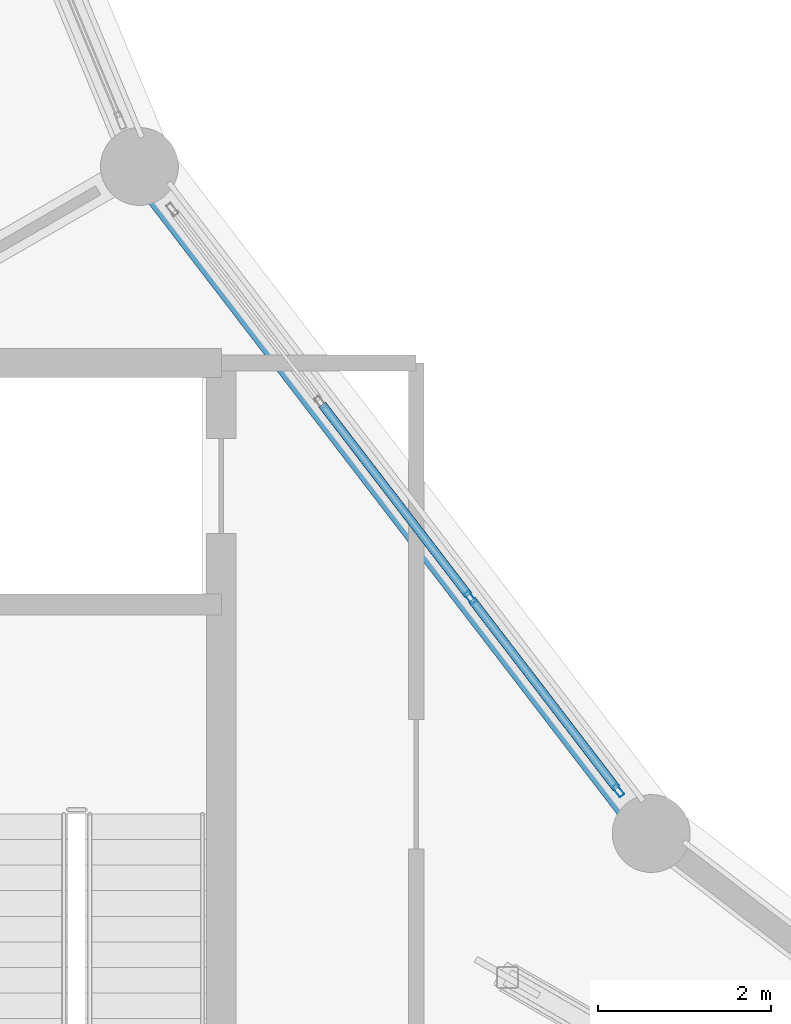
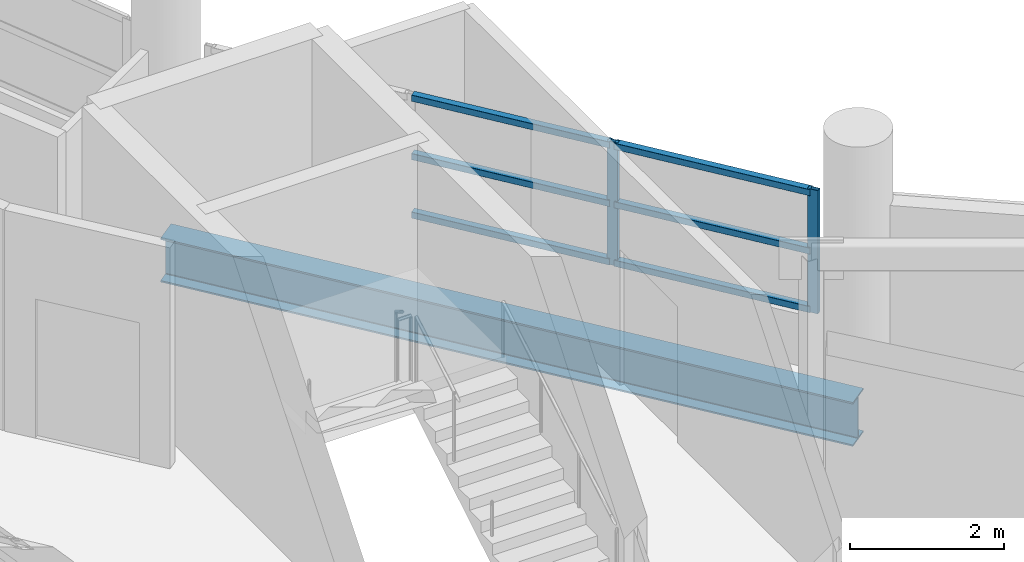
# One storey, part 21 of 121: 8 members, 1 beam, 1 element without a shape of its own.
"""IFC4 building model written with IfcOpenShell, lengths in metres."""

from ifc_helpers import new_model, si_unit, direction, frame, origin, origin_2d, place, context, subcontext, project, spatial, hollow_rectangle, i_section, extrude, material, layer, layer_set, material_profile, profile_set, type_object, element, aggregate, save


model = new_model("IFC4")

# Units and contexts
model_context = context("Model", 3, precision=1e-05, world=origin(), true_north=direction((0.0, 1.0)))
body_context = subcontext(model_context, "Body", "Model", "MODEL_VIEW")
ifc_project = project(units=[si_unit("LENGTHUNIT", "METRE"), si_unit("AREAUNIT", "SQUARE_METRE"), si_unit("VOLUMEUNIT", "CUBIC_METRE"), si_unit("PLANEANGLEUNIT", "RADIAN"), si_unit("MASSUNIT", "GRAM", prefix="KILO")], contexts=[model_context])

# Site, building, storey
site_placement = place(None, origin())
site = spatial("IfcSite", under=ifc_project, at=site_placement, CompositionType="ELEMENT")
building_placement = place(site_placement, origin())
building = spatial("IfcBuilding", under=site, at=building_placement, Name="Vespera Passage Community Centre", CompositionType="ELEMENT")
storey_placement = place(building_placement, frame((0.0, 0.0, 8.699951171875)))
storey = spatial("IfcBuildingStorey", under=building, at=storey_placement, Name="L02", CompositionType="ELEMENT", Elevation=8.699951171875)

# Beam
ifc_material_1 = material(Name="Steel ASTM A992 Grade 50", Category="steel")
ifc_material_profile_1 = material_profile(ifc_material_1, i_section(OverallWidth=0.3544921875, OverallDepth=0.695556640625, WebThickness=0.015380859375, FlangeThickness=0.024658203125, FilletRadius=0.01513671875, at=origin_2d()), Name="W27X146")
ifc_profile_set_1 = profile_set([ifc_material_profile_1], Name="Steel ASTM A992 Grade 50")
beam_type = type_object("IfcBeamType", Name="BM-SP-W27X146E", PredefinedType="SPANDREL", material=ifc_profile_set_1)
beam_placement = place(storey_placement, frame((45.783935546875, 46.89990234375, -0.687744140625), z_axis=(0.60875291963, -0.793359869694, 0.0), x_axis=(0.793359869694, 0.60875291963, 0.0)))
element("IfcBeam", 1, at=beam_placement, inside=storey, type_object=beam_type, Name="V4 L02 Inner Spandrel 14", PredefinedType="SPANDREL", context=body_context, shape_type="SweptSolid", body=[
    extrude(i_section(OverallWidth=0.3544921875, OverallDepth=0.695556640625, WebThickness=0.015380859375, FlangeThickness=0.024658203125, FilletRadius=0.01513671875, at=origin_2d()), origin(), (0.0, 0.0, 1.0), 9.7109375),
])

# Curtain wall, members
ifc_material_2 = material(Name="Anodized aluminium 6063-T6", Category="aluminium")
ifc_layer = layer(ifc_material_2, 0.159912109375)
ifc_layer_set = layer_set([ifc_layer], Name="Anodized aluminium 6063-T6")
curtain_wall_type = type_object("IfcCurtainWallType", Name="CW-30E", PredefinedType="NOTDEFINED", material=ifc_layer_set)
curtain_wall_placement = place(storey_placement, origin())
curtain_wall = element("IfcCurtainWall", 2, at=curtain_wall_placement, inside=storey, type_object=curtain_wall_type, Name="V4 L02 Inner Court Curtain Wall 14", PredefinedType="NOTDEFINED")
ifc_material_3 = material(Name="Anodized aluminium 6063-T6", Category="aluminium")
ifc_material_profile_2 = material_profile(ifc_material_3, hollow_rectangle(XDim=0.06494140625, YDim=0.14990234375, WallThickness=0.00390625, InnerFilletRadius=0.001953125, OuterFilletRadius=0.00390625, at=origin_2d()), Name="ALU150X65X4")
ifc_profile_set_2 = profile_set([ifc_material_profile_2], Name="Anodized aluminium 6063-T6")
member_type_1 = type_object("IfcMemberType", Name="MB-CWM-150E", PredefinedType="MULLION", material=ifc_profile_set_2)
member_1_placement = place(storey_placement, frame((49.604736328125, 41.920654296875, 0.820068359375), z_axis=(0.0, 0.0, 1.0), x_axis=(0.793358205999, 0.608755087843, 0.0)))
member_1 = element("IfcMember", 3, at=member_1_placement, type_object=member_type_1, Name="CW-30E mullion 3", PredefinedType="MULLION", context=body_context, shape_type="SweptSolid", body=[
    extrude(hollow_rectangle(XDim=0.06494140625, YDim=0.14990234375, WallThickness=0.00390625, InnerFilletRadius=0.001953125, OuterFilletRadius=0.00390625, at=origin_2d()), origin(), (0.0, 0.0, 1.0), 1.949462890625),
])
member_2_placement = place(storey_placement, frame((51.314697265625, 39.69189453125, 0.820068359375), z_axis=(0.0, 0.0, 1.0), x_axis=(0.793358205999, 0.608755087843, 0.0)))
member_2 = element("IfcMember", 4, at=member_2_placement, type_object=member_type_1, Name="CW-30E mullion 4", PredefinedType="MULLION", context=body_context, shape_type="SweptSolid", body=[
    extrude(hollow_rectangle(XDim=0.06494140625, YDim=0.14990234375, WallThickness=0.00390625, InnerFilletRadius=0.001953125, OuterFilletRadius=0.00390625, at=origin_2d()), origin(), (0.0, 0.0, 1.0), 1.949462890625),
])
ifc_material_4 = material(Name="Anodized aluminium 6063-T6", Category="aluminium")
ifc_material_profile_3 = material_profile(ifc_material_4, hollow_rectangle(XDim=0.10009765625, YDim=0.10009765625, WallThickness=0.00390625, InnerFilletRadius=0.001953125, OuterFilletRadius=0.00390625, at=origin_2d()), Name="ALU100X100X4")
ifc_profile_set_3 = profile_set([ifc_material_profile_3], Name="Anodized aluminium 6063-T6")
member_type_2 = type_object("IfcMemberType", Name="MB-CWT-100E", PredefinedType="USERDEFINED", material=ifc_profile_set_3)
member_3_placement = place(storey_placement, frame((47.89453125, 44.149169921875, 0.8701171875), z_axis=(0.60878404001, -0.793335989748, 0.0), x_axis=(0.793335989748, 0.60878404001, 0.0)))
member_3 = element("IfcMember", 5, at=member_3_placement, type_object=member_type_2, Name="CW-30E transom 2.1", ObjectType="TRANSOM", PredefinedType="USERDEFINED", context=body_context, shape_type="SweptSolid", body=[
    extrude(hollow_rectangle(XDim=0.10009765625, YDim=0.10009765625, WallThickness=0.00390625, InnerFilletRadius=0.001953125, OuterFilletRadius=0.00390625, at=origin_2d()), origin(), (0.0, 0.0, 1.0), 2.776611328125),
])
member_4_placement = place(storey_placement, frame((47.89453125, 44.149169921875, 1.794677734375), z_axis=(0.60878404001, -0.793335989748, 0.0), x_axis=(0.793335989748, 0.60878404001, 0.0)))
member_4 = element("IfcMember", 6, at=member_4_placement, type_object=member_type_2, Name="CW-30E transom 2.2", ObjectType="TRANSOM", PredefinedType="USERDEFINED", context=body_context, shape_type="SweptSolid", body=[
    extrude(hollow_rectangle(XDim=0.10009765625, YDim=0.10009765625, WallThickness=0.00390625, InnerFilletRadius=0.001953125, OuterFilletRadius=0.00390625, at=origin_2d()), origin(), (0.0, 0.0, 1.0), 2.776611328125),
])
member_5_placement = place(storey_placement, frame((47.89453125, 44.149169921875, 2.719482421875), z_axis=(0.60878404001, -0.793335989748, 0.0), x_axis=(0.793335989748, 0.60878404001, 0.0)))
member_5 = element("IfcMember", 7, at=member_5_placement, type_object=member_type_2, Name="CW-30E transom 2.3", ObjectType="TRANSOM", PredefinedType="USERDEFINED", context=body_context, shape_type="SweptSolid", body=[
    extrude(hollow_rectangle(XDim=0.10009765625, YDim=0.10009765625, WallThickness=0.00390625, InnerFilletRadius=0.001953125, OuterFilletRadius=0.00390625, at=origin_2d()), origin(), (0.0, 0.0, 1.0), 2.776611328125),
])
member_6_placement = place(storey_placement, frame((49.62451171875, 41.894775390625, 0.8701171875), z_axis=(0.608747162837, -0.793364286906, 0.0), x_axis=(0.793364286906, 0.608747162837, 0.0)))
member_6 = element("IfcMember", 8, at=member_6_placement, type_object=member_type_2, Name="CW-30E transom 3.1", ObjectType="TRANSOM", PredefinedType="USERDEFINED", context=body_context, shape_type="SweptSolid", body=[
    extrude(hollow_rectangle(XDim=0.10009765625, YDim=0.10009765625, WallThickness=0.00390625, InnerFilletRadius=0.001953125, OuterFilletRadius=0.00390625, at=origin_2d()), origin(), (0.0, 0.0, 1.0), 2.743896484375),
])
member_7_placement = place(storey_placement, frame((49.62451171875, 41.894775390625, 1.794677734375), z_axis=(0.608747162837, -0.793364286906, 0.0), x_axis=(0.793364286906, 0.608747162837, 0.0)))
member_7 = element("IfcMember", 9, at=member_7_placement, type_object=member_type_2, Name="CW-30E transom 3.2", ObjectType="TRANSOM", PredefinedType="USERDEFINED", context=body_context, shape_type="SweptSolid", body=[
    extrude(hollow_rectangle(XDim=0.10009765625, YDim=0.10009765625, WallThickness=0.00390625, InnerFilletRadius=0.001953125, OuterFilletRadius=0.00390625, at=origin_2d()), origin(), (0.0, 0.0, 1.0), 2.743896484375),
])
member_8_placement = place(storey_placement, frame((49.62451171875, 41.894775390625, 2.719482421875), z_axis=(0.608747162837, -0.793364286906, 0.0), x_axis=(0.793364286906, 0.608747162837, 0.0)))
member_8 = element("IfcMember", 10, at=member_8_placement, type_object=member_type_2, Name="CW-30E transom 3.3", ObjectType="TRANSOM", PredefinedType="USERDEFINED", context=body_context, shape_type="SweptSolid", body=[
    extrude(hollow_rectangle(XDim=0.10009765625, YDim=0.10009765625, WallThickness=0.00390625, InnerFilletRadius=0.001953125, OuterFilletRadius=0.00390625, at=origin_2d()), origin(), (0.0, 0.0, 1.0), 2.743896484375),
])
aggregate(curtain_wall, [member_1, member_2, member_3, member_4, member_5, member_6, member_7, member_8])

save(model, "model.ifc")
